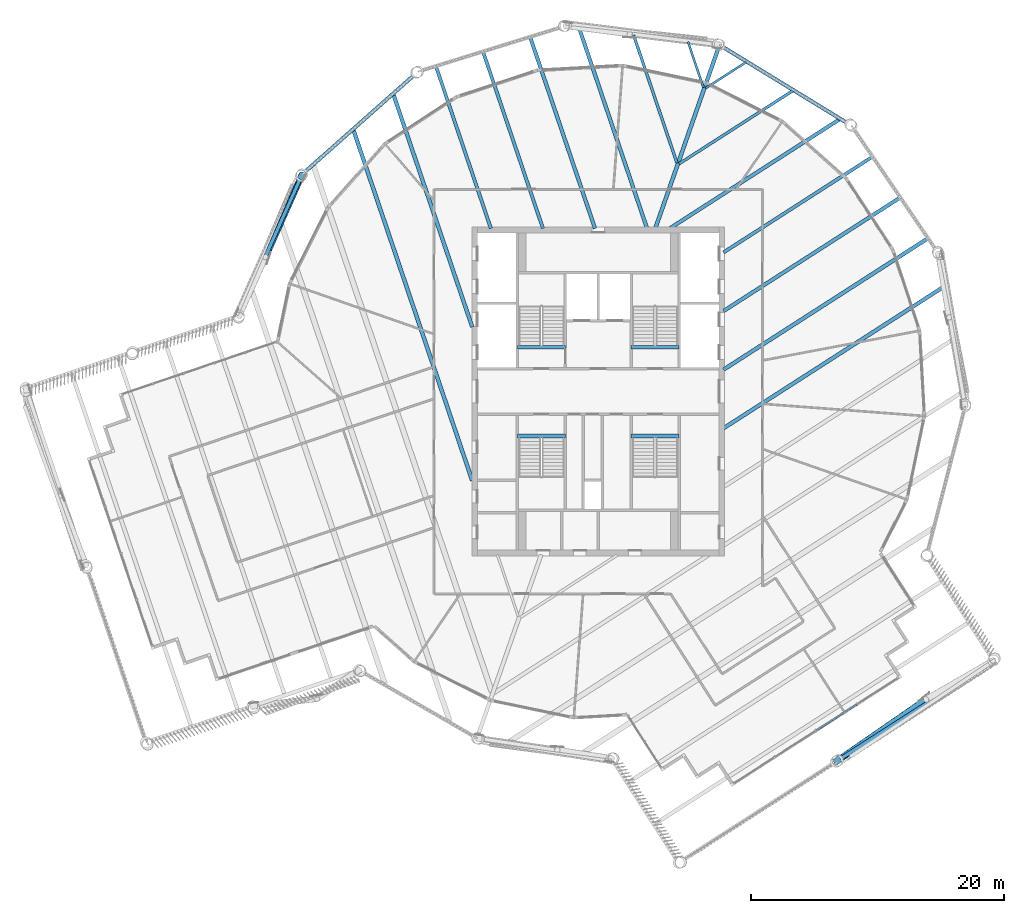
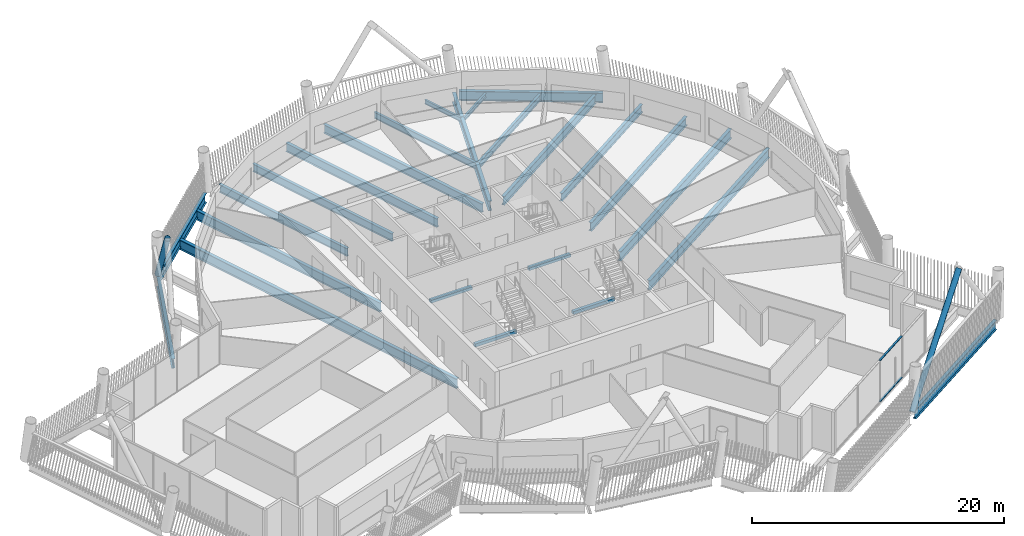
# One storey, part 14 of 35: 24 beams, 4 members, 1 element without a shape of its own.
"""IFC4 building model written with IfcOpenShell, lengths in metres."""

from ifc_helpers import new_model, si_unit, direction, frame, origin, origin_2d, place, context, subcontext, project, spatial, rectangle, hollow_rectangle, hollow_circle, i_section, extrude, material, layer, layer_set, material_profile, profile_set, type_object, element, aggregate, save


model = new_model("IFC4")

# Units and contexts
model_context = context("Model", 3, precision=1e-05, world=origin(), true_north=direction((0.0, 1.0)))
body_context = subcontext(model_context, "Body", "Model", "MODEL_VIEW")
ifc_project = project(units=[si_unit("LENGTHUNIT", "METRE"), si_unit("AREAUNIT", "SQUARE_METRE"), si_unit("VOLUMEUNIT", "CUBIC_METRE"), si_unit("PLANEANGLEUNIT", "RADIAN"), si_unit("MASSUNIT", "GRAM", prefix="KILO")], contexts=[model_context])

# Site, building, storey
site_placement = place(None, origin())
site = spatial("IfcSite", under=ifc_project, at=site_placement, CompositionType="ELEMENT")
building_placement = place(site_placement, origin())
building = spatial("IfcBuilding", under=site, at=building_placement, Name="Tarsis Ring Headquarters", CompositionType="ELEMENT")
storey_placement = place(building_placement, frame((0.0, 0.0, 360.800048828125)))
storey = spatial("IfcBuildingStorey", under=building, at=storey_placement, Name="L85", CompositionType="ELEMENT", Elevation=360.800048828125)

# Curtain wall, members
ifc_material_1 = material(Name="Aluminium curtain wall", Category="aluminium")
ifc_layer = layer(ifc_material_1, 0.199951171875)
ifc_layer_set = layer_set([ifc_layer], Name="Curtain wall executive tip")
curtain_wall_type = type_object("IfcCurtainWallType", Name="Curtain wall executive tip", PredefinedType="NOTDEFINED", material=ifc_layer_set)
curtain_wall_placement = place(storey_placement, origin())
curtain_wall = element("IfcCurtainWall", 1, at=curtain_wall_placement, inside=storey, type_object=curtain_wall_type, Name="Curtain wall L85-11", PredefinedType="NOTDEFINED")
ifc_material_2 = material(Name="Aluminium transom", Category="aluminium")
ifc_material_profile_1 = material_profile(ifc_material_2, hollow_rectangle(XDim=0.159912109375, YDim=0.070068359375, WallThickness=0.0048828125, at=origin_2d()), Name="RHS 160x70x5")
ifc_profile_set_1 = profile_set([ifc_material_profile_1], Name="Aluminium transom")
member_type_1 = type_object("IfcMemberType", Name="Curtain wall transom executive tip RHS 160x70x5", PredefinedType="USERDEFINED", material=ifc_profile_set_1)
member_1_placement = place(storey_placement, frame((17.259033203125, -26.79833984375, 0.034912109375), z_axis=(0.84129936717, 0.540569491184, 0.0), x_axis=(-0.540569491184, 0.84129936717, 0.0)))
member_1 = element("IfcMember", 2, at=member_1_placement, type_object=member_type_1, Name="CW-E transom 3.1", ObjectType="TRANSOM", PredefinedType="USERDEFINED", context=body_context, shape_type="SweptSolid", body=[
    extrude(hollow_rectangle(XDim=0.159912109375, YDim=0.070068359375, WallThickness=0.0048828125, at=origin_2d()), origin(), (0.0, 0.0, 1.0), 3.804931640625),
])
member_2_placement = place(storey_placement, frame((17.259033203125, -26.79833984375, 4.0048828125), z_axis=(0.84129936717, 0.540569491184, 0.0), x_axis=(-0.540569491184, 0.84129936717, 0.0)))
member_2 = element("IfcMember", 3, at=member_2_placement, type_object=member_type_1, Name="CW-E transom 3.2", ObjectType="TRANSOM", PredefinedType="USERDEFINED", context=body_context, shape_type="SweptSolid", body=[
    extrude(hollow_rectangle(XDim=0.159912109375, YDim=0.070068359375, WallThickness=0.0048828125, at=origin_2d()), origin(), (0.0, 0.0, 1.0), 3.804931640625),
])
aggregate(curtain_wall, [member_1, member_2])

# Beams
ifc_material_3 = material(Name="Structural steel S355", Category="steel")
ifc_material_profile_2 = material_profile(ifc_material_3, i_section(OverallWidth=0.177734375, OverallDepth=0.406494140625, WebThickness=0.0078125, FlangeThickness=0.0126953125, at=origin_2d()), Name="W16x40")
ifc_profile_set_2 = profile_set([ifc_material_profile_2], Name="Structural steel S355")
beam_type_1 = type_object("IfcBeamType", Name="FB Floor beam W16x40", PredefinedType="JOIST", material=ifc_profile_set_2)
for number, where, z_axis, x_axis, name in (
    (4, (8.494140625, 23.99951171875, -0.36328125), (0.841311771144, 0.540550186139, 0.0), (-0.540550186139, 0.841311771144, 0.0), "Floor beam FB1"),
    (5, (7.095703125, 27.667724609375, -0.36328125), (0.320897945999, -0.947113777882, 0.0), (0.947113777882, 0.320897945999, 0.0), "Floor beam FB1"),
):
    element("IfcBeam", number, at=place(storey_placement, frame(where, z_axis=z_axis, x_axis=x_axis)), inside=storey, type_object=beam_type_1, Name=name, PredefinedType="JOIST", context=body_context, shape_type="SweptSolid", body=[
        extrude(i_section(OverallWidth=0.177734375, OverallDepth=0.406494140625, WebThickness=0.0078125, FlangeThickness=0.0126953125, at=origin_2d()), origin(), (0.0, 0.0, 1.0), 3.807861328125),
    ])
ifc_material_profile_3 = material_profile(ifc_material_3, i_section(OverallWidth=0.228271484375, OverallDepth=0.607177734375, WebThickness=0.01123046875, FlangeThickness=0.017333984375, at=origin_2d()), Name="W24x76")
ifc_profile_set_3 = profile_set([ifc_material_profile_3], Name="Structural steel S355")
beam_type_2 = type_object("IfcBeamType", Name="FB Floor beam W24x76", PredefinedType="JOIST", material=ifc_profile_set_3)
beam_1_placement = place(storey_placement, frame((6.40234375, 18.02001953125, -0.463623046875), z_axis=(0.841317981051, 0.540540520923, 0.0), x_axis=(-0.540540520923, 0.841317981051, 0.0)))
element("IfcBeam", 6, at=beam_1_placement, inside=storey, type_object=beam_type_2, Name="Floor beam FB4", PredefinedType="JOIST", context=body_context, shape_type="SweptSolid", body=[
    extrude(i_section(OverallWidth=0.228271484375, OverallDepth=0.607177734375, WebThickness=0.01123046875, FlangeThickness=0.017333984375, at=origin_2d()), origin(), (0.0, 0.0, 1.0), 10.687744140625),
])
beam_2_placement = place(storey_placement, frame((2.796142578125, 28.203857421875, -0.463623046875), z_axis=(0.320931970524, -0.947102249124, 0.0), x_axis=(0.947102249124, 0.320931970524, 0.0)))
element("IfcBeam", 7, at=beam_2_placement, inside=storey, type_object=beam_type_2, Name="Floor beam FB4", PredefinedType="JOIST", context=body_context, shape_type="SweptSolid", body=[
    extrude(i_section(OverallWidth=0.228271484375, OverallDepth=0.607177734375, WebThickness=0.01123046875, FlangeThickness=0.017333984375, at=origin_2d()), origin(), (0.0, 0.0, 1.0), 10.6875),
])
ifc_material_profile_4 = material_profile(ifc_material_3, i_section(OverallWidth=0.2666015625, OverallDepth=0.7568359375, WebThickness=0.013916015625, FlangeThickness=0.019287109375, at=origin_2d()), Name="W30x108")
ifc_profile_set_4 = profile_set([ifc_material_profile_4], Name="Structural steel S355")
beam_type_3 = type_object("IfcBeamType", Name="FB Floor beam W30x108", PredefinedType="JOIST", material=ifc_profile_set_4)
beam_3_placement = place(storey_placement, frame((9.915771484375, 11.00634765625, -0.53857421875), z_axis=(0.841323912681, 0.540531288596, 0.0), x_axis=(-0.540531288596, 0.841323912681, 0.0)))
element("IfcBeam", 8, at=beam_3_placement, inside=storey, type_object=beam_type_3, Name="Floor beam FB6", PredefinedType="JOIST", context=body_context, shape_type="SweptSolid", body=[
    extrude(i_section(OverallWidth=0.2666015625, OverallDepth=0.7568359375, WebThickness=0.013916015625, FlangeThickness=0.019287109375, at=origin_2d()), origin(), (0.0, 0.0, 1.0), 13.959716796875),
])
beam_4_placement = place(storey_placement, frame((-9.099609375, 26.852783203125, -0.53857421875), z_axis=(0.32093872046, -0.947099961836, 0.0), x_axis=(0.947099961836, 0.32093872046, 0.0)))
element("IfcBeam", 9, at=beam_4_placement, inside=storey, type_object=beam_type_3, Name="Floor beam FB6", PredefinedType="JOIST", context=body_context, shape_type="SweptSolid", body=[
    extrude(i_section(OverallWidth=0.2666015625, OverallDepth=0.7568359375, WebThickness=0.013916015625, FlangeThickness=0.019287109375, at=origin_2d()), origin(), (0.0, 0.0, 1.0), 14.7265625),
])
beam_5_placement = place(storey_placement, frame((-12.82568359375, 25.697021484375, -0.53857421875), z_axis=(0.320941726095, -0.947098943327, 0.0), x_axis=(0.947098943327, 0.320941726095, 0.0)))
element("IfcBeam", 10, at=beam_5_placement, inside=storey, type_object=beam_type_3, Name="Floor beam FB6", PredefinedType="JOIST", context=body_context, shape_type="SweptSolid", body=[
    extrude(i_section(OverallWidth=0.2666015625, OverallDepth=0.7568359375, WebThickness=0.013916015625, FlangeThickness=0.019287109375, at=origin_2d()), origin(), (0.0, 0.0, 1.0), 13.50634765625),
])
ifc_material_profile_5 = material_profile(ifc_material_3, i_section(OverallWidth=0.2919921875, OverallDepth=0.835693359375, WebThickness=0.013916015625, FlangeThickness=0.018798828125, at=origin_2d()), Name="W33x118")
ifc_profile_set_5 = profile_set([ifc_material_profile_5], Name="Structural steel S355")
beam_type_4 = type_object("IfcBeamType", Name="FB Floor beam W33x118", PredefinedType="JOIST", material=ifc_profile_set_5)
beam_6_placement = place(storey_placement, frame((5.7197265625, 12.946044921875, -0.577880859375), z_axis=(0.841323193243, 0.540532408382, 0.0), x_axis=(-0.540532408382, 0.841323193243, 0.0)))
element("IfcBeam", 11, at=beam_6_placement, inside=storey, type_object=beam_type_4, Name="Floor beam FB7", PredefinedType="JOIST", context=body_context, shape_type="SweptSolid", body=[
    extrude(i_section(OverallWidth=0.2919921875, OverallDepth=0.835693359375, WebThickness=0.013916015625, FlangeThickness=0.018798828125, at=origin_2d()), origin(), (0.0, 0.0, 1.0), 15.892333984375),
])
beam_7_placement = place(storey_placement, frame((9.915771484375, 6.370849609375, -0.577880859375), z_axis=(0.841324004069, 0.540531146352, 0.0), x_axis=(-0.540531146352, 0.841324004069, 0.0)))
element("IfcBeam", 12, at=beam_7_placement, inside=storey, type_object=beam_type_4, Name="Floor beam FB7", PredefinedType="JOIST", context=body_context, shape_type="SweptSolid", body=[
    extrude(i_section(OverallWidth=0.2919921875, OverallDepth=0.835693359375, WebThickness=0.013916015625, FlangeThickness=0.018798828125, at=origin_2d()), origin(), (0.0, 0.0, 1.0), 16.566650390625),
])
beam_8_placement = place(storey_placement, frame((-1.50341796875, 28.740234375, -0.577880859375), z_axis=(0.320941827341, -0.947098909018, 0.0), x_axis=(0.947098909018, 0.320941827341, 0.0)))
element("IfcBeam", 13, at=beam_8_placement, inside=storey, type_object=beam_type_4, Name="Floor beam FB7", PredefinedType="JOIST", context=body_context, shape_type="SweptSolid", body=[
    extrude(i_section(OverallWidth=0.2919921875, OverallDepth=0.835693359375, WebThickness=0.013916015625, FlangeThickness=0.018798828125, at=origin_2d()), origin(), (0.0, 0.0, 1.0), 16.719482421875),
])
beam_9_placement = place(storey_placement, frame((-5.37353515625, 28.008544921875, -0.577880859375), z_axis=(0.320949907477, -0.947096170877, 0.0), x_axis=(0.947096170877, 0.320949907477, 0.0)))
element("IfcBeam", 14, at=beam_9_placement, inside=storey, type_object=beam_type_4, Name="Floor beam FB7", PredefinedType="JOIST", context=body_context, shape_type="SweptSolid", body=[
    extrude(i_section(OverallWidth=0.2919921875, OverallDepth=0.835693359375, WebThickness=0.013916015625, FlangeThickness=0.018798828125, at=origin_2d()), origin(), (0.0, 0.0, 1.0), 15.947021484375),
])
ifc_material_profile_6 = material_profile(ifc_material_3, i_section(OverallWidth=0.3046875, OverallDepth=0.904296875, WebThickness=0.01513671875, FlangeThickness=0.02001953125, at=origin_2d()), Name="W36x135")
ifc_profile_set_6 = profile_set([ifc_material_profile_6], Name="Structural steel S355")
beam_type_5 = type_object("IfcBeamType", Name="FB Floor beam W36x135", PredefinedType="JOIST", material=ifc_profile_set_6)
beam_10_placement = place(storey_placement, frame((9.915771484375, 1.735107421875, -0.612060546875), z_axis=(0.84132035028, 0.540536833347, 0.0), x_axis=(-0.540536833347, 0.84132035028, 0.0)))
element("IfcBeam", 15, at=beam_10_placement, inside=storey, type_object=beam_type_5, Name="Floor beam FB8", PredefinedType="JOIST", context=body_context, shape_type="SweptSolid", body=[
    extrude(i_section(OverallWidth=0.3046875, OverallDepth=0.904296875, WebThickness=0.01513671875, FlangeThickness=0.02001953125, at=origin_2d()), origin(), (0.0, 0.0, 1.0), 19.173583984375),
])
beam_11_placement = place(storey_placement, frame((9.915771484375, -2.900390625, -0.612060546875), z_axis=(0.841324918754, 0.540529722665, 0.0), x_axis=(-0.540529722665, 0.841324918754, 0.0)))
element("IfcBeam", 16, at=beam_11_placement, inside=storey, type_object=beam_type_5, Name="Floor beam FB8", PredefinedType="JOIST", context=body_context, shape_type="SweptSolid", body=[
    extrude(i_section(OverallWidth=0.3046875, OverallDepth=0.904296875, WebThickness=0.01513671875, FlangeThickness=0.02001953125, at=origin_2d()), origin(), (0.0, 0.0, 1.0), 20.687255859375),
])
beam_12_placement = place(storey_placement, frame((-16.201171875, 23.505615234375, -0.612060546875), z_axis=(0.320945447089, -0.947097682392, 0.0), x_axis=(0.947097682392, 0.320945447089, 0.0)))
element("IfcBeam", 17, at=beam_12_placement, inside=storey, type_object=beam_type_5, Name="Floor beam FB8", PredefinedType="JOIST", context=body_context, shape_type="SweptSolid", body=[
    extrude(i_section(OverallWidth=0.3046875, OverallDepth=0.904296875, WebThickness=0.01513671875, FlangeThickness=0.02001953125, at=origin_2d()), origin(), (0.0, 0.0, 1.0), 19.421142578125),
])
ifc_material_profile_7 = material_profile(ifc_material_3, i_section(OverallWidth=0.309814453125, OverallDepth=0.949951171875, WebThickness=0.0244140625, FlangeThickness=0.0439453125, at=origin_2d()), Name="W36x256")
ifc_profile_set_7 = profile_set([ifc_material_profile_7], Name="Structural steel S355")
beam_type_6 = type_object("IfcBeamType", Name="FB Floor beam W36x256", PredefinedType="JOIST", material=ifc_profile_set_7)
beam_13_placement = place(storey_placement, frame((-19.3671875, 20.697021484375, -0.635009765625), z_axis=(0.320943089768, -0.947098481221, 0.0), x_axis=(0.947098481221, 0.320943089768, 0.0)))
element("IfcBeam", 18, at=beam_13_placement, inside=storey, type_object=beam_type_6, Name="Floor beam FB11", PredefinedType="JOIST", context=body_context, shape_type="SweptSolid", body=[
    extrude(i_section(OverallWidth=0.309814453125, OverallDepth=0.949951171875, WebThickness=0.0244140625, FlangeThickness=0.0439453125, at=origin_2d()), origin(), (0.0, 0.0, 1.0), 29.2861328125),
])
beam_type_7 = type_object("IfcBeamType", Name="FB Floor beam W36x256 spine", PredefinedType="BEAM", material=ifc_profile_set_7)
beam_14_placement = place(storey_placement, frame((9.572998046875, 27.36669921875, -0.635009765625), z_axis=(-0.330186449466, -0.94391573172, 0.0), x_axis=(0.94391573172, -0.330186449466, 0.0)))
element("IfcBeam", 19, at=beam_14_placement, inside=storey, type_object=beam_type_7, Name="Floor beam SB11", PredefinedType="BEAM", context=body_context, shape_type="SweptSolid", body=[
    extrude(i_section(OverallWidth=0.309814453125, OverallDepth=0.949951171875, WebThickness=0.0244140625, FlangeThickness=0.0439453125, at=origin_2d()), origin(), (0.0, 0.0, 1.0), 15.3203125),
])
ifc_material_4 = material(Name="Concrete C40/50", Category="concrete")
ifc_material_profile_8 = material_profile(ifc_material_4, rectangle(XDim=0.300048828125, YDim=0.300048828125, at=origin_2d()), Name="Stair head beam 300x300 C40/50")
ifc_profile_set_8 = profile_set([ifc_material_profile_8], Name="Concrete C40/50")
beam_type_8 = type_object("IfcBeamType", Name="Stair head beam 300x300 C40/50", PredefinedType="BEAM", material=ifc_profile_set_8)
for number, where, z_axis, x_axis, name in (
    (20, (-6.39990234375, 3.510009765625, -0.31005859375), (1.0, 0.0, 0.0), (0.0, 1.0, 0.0), "Stair head beam L85 Firefighting stair"),
    (21, (2.60009765625, 3.510009765625, -0.31005859375), (1.0, 0.0, 0.0), (0.0, 1.0, 0.0), "Stair head beam L85 Exit stair B"),
    (22, (-6.39990234375, -3.510009765625, -0.31005859375), (1.0, 0.0, 0.0), (0.0, 1.0, 0.0), "Stair head beam L85 Exit stair C"),
    (23, (2.60009765625, -3.510009765625, -0.31005859375), (1.0, 0.0, 0.0), (0.0, 1.0, 0.0), "Stair head beam L85 Exit stair D"),
):
    element("IfcBeam", number, at=place(storey_placement, frame(where, z_axis=z_axis, x_axis=x_axis)), inside=storey, type_object=beam_type_8, Name=name, PredefinedType="BEAM", context=body_context, shape_type="SweptSolid", body=[
        extrude(rectangle(XDim=0.300048828125, YDim=0.300048828125, at=origin_2d()), origin(), (0.0, 0.0, 1.0), 3.7998046875),
    ])

# Members
ifc_material_profile_9 = material_profile(ifc_material_3, hollow_circle(Radius=0.25390625, WallThickness=0.02001953125, at=origin_2d()), Name="CHS 508x20")
ifc_profile_set_9 = profile_set([ifc_material_profile_9], Name="Structural steel S355")
member_type_2 = type_object("IfcMemberType", Name="XD X brace CHS 508x20", PredefinedType="BRACE", material=ifc_profile_set_9)
member_3_placement = place(storey_placement, frame((18.810546875, -29.278076171875, 0.0), z_axis=(0.590606360712, 0.408170077113, 0.696118750528), x_axis=(-0.568540077181, 0.822655566224, 0.0)))
element("IfcMember", 24, at=member_3_placement, inside=storey, type_object=member_type_2, Name="X brace XD2", PredefinedType="BRACE", context=body_context, shape_type="SweptSolid", body=[
    extrude(hollow_circle(Radius=0.25390625, WallThickness=0.02001953125, at=origin_2d()), origin(), (0.0, 0.0, 1.0), 12.066650390625),
])
member_4_placement = place(storey_placement, frame((-23.42529296875, 17.177734375, 0.0), z_axis=(-0.26303110252, -0.592705011298, 0.761259094323), x_axis=(0.914036537261, -0.405631863333, 0.0)))
element("IfcMember", 25, at=member_4_placement, inside=storey, type_object=member_type_2, Name="X brace XD2", PredefinedType="BRACE", context=body_context, shape_type="SweptSolid", body=[
    extrude(hollow_circle(Radius=0.25390625, WallThickness=0.02001953125, at=origin_2d()), origin(), (0.0, 0.0, 1.0), 11.0341796875),
])

# Beams
ifc_material_profile_10 = material_profile(ifc_material_3, i_section(OverallWidth=0.3046875, OverallDepth=0.91943359375, WebThickness=0.017333984375, FlangeThickness=0.02783203125, at=origin_2d()), Name="W36x170")
ifc_profile_set_10 = profile_set([ifc_material_profile_10], Name="Structural steel S355")
beam_type_9 = type_object("IfcBeamType", Name="XG Ring girder W36x170", PredefinedType="BEAM", material=ifc_profile_set_10)
beam_15_placement = place(storey_placement, frame((19.15673828125, -29.0556640625, -0.459716796875), z_axis=(0.841320327197, 0.540536869274, 0.0), x_axis=(-0.540536869274, 0.841320327197, 0.0)))
element("IfcBeam", 26, at=beam_15_placement, inside=storey, type_object=beam_type_9, Name="Ring girder XG4", PredefinedType="BEAM", context=body_context, shape_type="SweptSolid", body=[
    extrude(i_section(OverallWidth=0.3046875, OverallDepth=0.91943359375, WebThickness=0.017333984375, FlangeThickness=0.02783203125, at=origin_2d()), origin(), (0.0, 0.0, 1.0), 13.97705078125),
])
for number, where, z_axis, x_axis, name in (
    (27, (19.689697265625, 21.242919921875, -0.459716796875), (-0.853087932816, 0.521767169228, 0.0), (-0.521767169228, -0.853087932816, 0.0), "Ring girder XG4"),
    (28, (-14.570068359375, 25.033203125, -0.459716796875), (-0.748066768313, -0.663623470159, 0.0), (0.663623470159, -0.748066768313, 0.0), "Ring girder XG4"),
):
    element("IfcBeam", number, at=place(storey_placement, frame(where, z_axis=z_axis, x_axis=x_axis)), inside=storey, type_object=beam_type_9, Name=name, PredefinedType="BEAM", context=body_context, shape_type="SweptSolid", body=[
        extrude(i_section(OverallWidth=0.3046875, OverallDepth=0.91943359375, WebThickness=0.017333984375, FlangeThickness=0.02783203125, at=origin_2d()), origin(), (0.0, 0.0, 1.0), 11.426025390625),
    ])
beam_16_placement = place(storey_placement, frame((-23.59326171875, 16.802001953125, -0.459716796875), z_axis=(-0.408032907717, -0.912967220781, 0.0), x_axis=(0.912967220781, -0.408032907717, 0.0)))
element("IfcBeam", 29, at=beam_16_placement, inside=storey, type_object=beam_type_9, Name="Ring girder XG4", PredefinedType="BEAM", context=body_context, shape_type="SweptSolid", body=[
    extrude(i_section(OverallWidth=0.3046875, OverallDepth=0.91943359375, WebThickness=0.017333984375, FlangeThickness=0.02783203125, at=origin_2d()), origin(), (0.0, 0.0, 1.0), 11.42578125),
])

save(model, "model.ifc")
